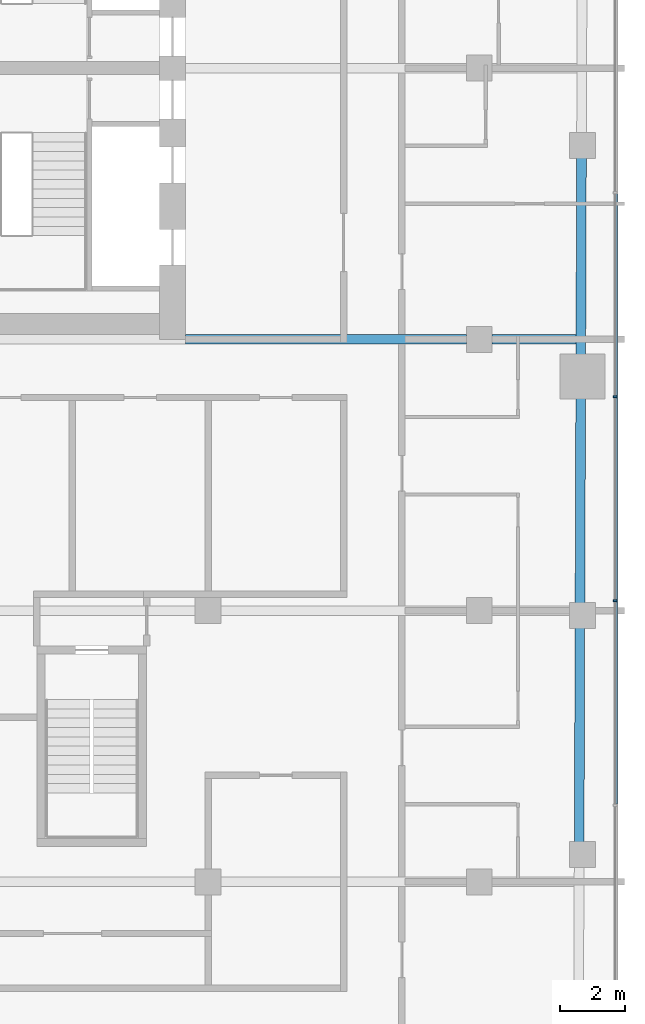
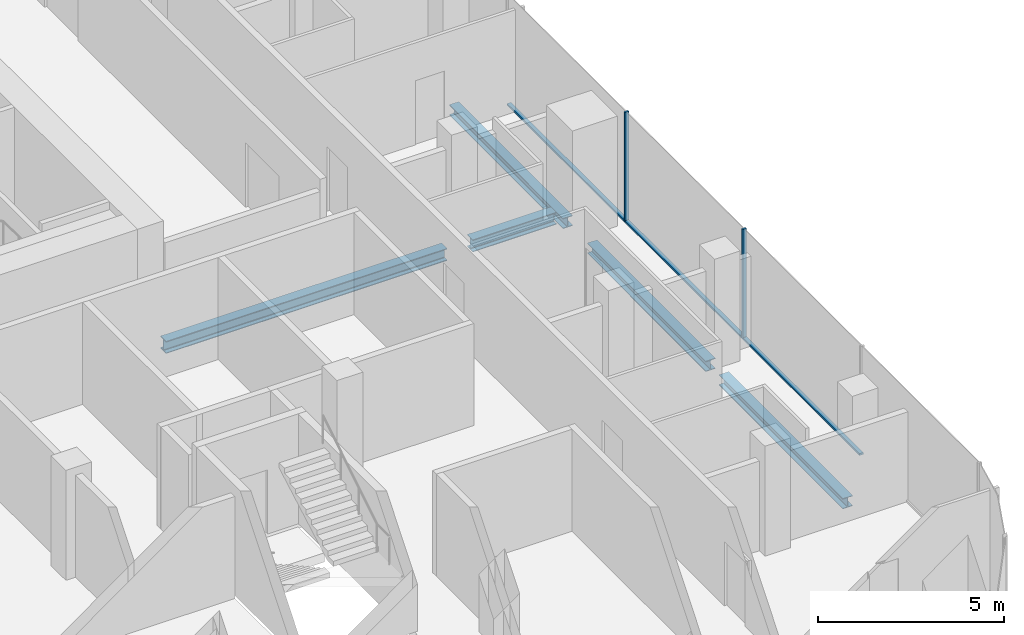
# One storey, part 7 of 22: 5 beams, 5 members, 1 element without a shape of its own.
"""IFC4 building model written with IfcOpenShell, lengths in metres."""

from ifc_helpers import new_model, si_unit, direction, frame, origin, origin_2d, place, context, subcontext, project, spatial, rectangle, i_section, extrude, material, layer, layer_set, material_profile, profile_set, type_object, element, aggregate, save


model = new_model("IFC4")

# Units and contexts
model_context = context("Model", 3, precision=1e-05, world=origin(), true_north=direction((0.0, 1.0)))
body_context = subcontext(model_context, "Body", "Model", "MODEL_VIEW")
ifc_project = project(units=[si_unit("LENGTHUNIT", "METRE"), si_unit("AREAUNIT", "SQUARE_METRE"), si_unit("VOLUMEUNIT", "CUBIC_METRE"), si_unit("PLANEANGLEUNIT", "RADIAN"), si_unit("MASSUNIT", "GRAM", prefix="KILO")], contexts=[model_context])

# Site, building, storey
site_placement = place(None, origin())
site = spatial("IfcSite", under=ifc_project, at=site_placement, CompositionType="ELEMENT")
building_placement = place(site_placement, origin())
building = spatial("IfcBuilding", under=site, at=building_placement, Name="Marenta Gate Hotel Tower", CompositionType="ELEMENT")
storey_placement = place(building_placement, frame((0.0, 0.0, 230.89990234375)))
storey = spatial("IfcBuildingStorey", under=building, at=storey_placement, Name="L54", CompositionType="ELEMENT", Elevation=230.89990234375)

# Beams
ifc_material_1 = material(Name="Steel S355", Category="steel")
ifc_material_profile_1 = material_profile(ifc_material_1, i_section(OverallWidth=0.300048828125, OverallDepth=0.340087890625, WebThickness=0.011962890625, FlangeThickness=0.021484375, FilletRadius=0.027099609375, at=origin_2d()), Name="HEB 340")
ifc_profile_set_1 = profile_set([ifc_material_profile_1], Name="Steel S355")
beam_type_1 = type_object("IfcBeamType", Name="Edge beam HEB 340", PredefinedType="SPANDREL", material=ifc_profile_set_1)
beam_1_placement = place(storey_placement, frame((24.164306640625, 5.643310546875, -0.429931640625), z_axis=(-0.003303859048, -0.999994542243, 0.0), x_axis=(0.999994542243, -0.003303859048, 0.0)))
element("IfcBeam", 1, at=beam_1_placement, inside=storey, type_object=beam_type_1, Name="L54-EB-24", PredefinedType="SPANDREL", context=body_context, shape_type="SweptSolid", body=[
    extrude(i_section(OverallWidth=0.300048828125, OverallDepth=0.340087890625, WebThickness=0.011962890625, FlangeThickness=0.021484375, FilletRadius=0.027099609375, at=origin_2d()), origin(), (0.0, 0.0, 1.0), 6.13330078125),
])
beam_2_placement = place(storey_placement, frame((24.1396484375, -1.81005859375, -0.429931640625), z_axis=(-0.003328723523, -0.999994459785, 0.0), x_axis=(0.999994459785, -0.003328723523, 0.0)))
element("IfcBeam", 2, at=beam_2_placement, inside=storey, type_object=beam_type_1, Name="L54-EB-25", PredefinedType="SPANDREL", context=body_context, shape_type="SweptSolid", body=[
    extrude(i_section(OverallWidth=0.300048828125, OverallDepth=0.340087890625, WebThickness=0.011962890625, FlangeThickness=0.021484375, FilletRadius=0.027099609375, at=origin_2d()), origin(), (0.0, 0.0, 1.0), 6.380859375),
])
beam_3_placement = place(storey_placement, frame((24.115966796875, -8.910888671875, -0.429931640625), z_axis=(-0.00332539729, -0.999994470851, 0.0), x_axis=(0.999994470851, -0.00332539729, 0.0)))
element("IfcBeam", 3, at=beam_3_placement, inside=storey, type_object=beam_type_1, Name="L54-EB-26", PredefinedType="SPANDREL", context=body_context, shape_type="SweptSolid", body=[
    extrude(i_section(OverallWidth=0.300048828125, OverallDepth=0.340087890625, WebThickness=0.011962890625, FlangeThickness=0.021484375, FilletRadius=0.027099609375, at=origin_2d()), origin(), (0.0, 0.0, 1.0), 6.680908203125),
])
ifc_material_2 = material(Name="Steel S355", Category="steel")
ifc_material_profile_2 = material_profile(ifc_material_2, i_section(OverallWidth=0.300048828125, OverallDepth=0.39990234375, WebThickness=0.013427734375, FlangeThickness=0.02392578125, FilletRadius=0.027099609375, at=origin_2d()), Name="HEB 400")
ifc_profile_set_2 = profile_set([ifc_material_profile_2], Name="Steel S355")
beam_type_2 = type_object("IfcBeamType", Name="Girder HEB 400", PredefinedType="BEAM", material=ifc_profile_set_2)
beam_4_placement = place(storey_placement, frame((11.89990234375, 0.0, -0.4599609375), z_axis=(1.0, 0.0, 0.0), x_axis=(0.0, 1.0, 0.0)))
element("IfcBeam", 4, at=beam_4_placement, inside=storey, type_object=beam_type_2, Name="L54-GD-23", PredefinedType="BEAM", context=body_context, shape_type="SweptSolid", body=[
    extrude(i_section(OverallWidth=0.300048828125, OverallDepth=0.39990234375, WebThickness=0.013427734375, FlangeThickness=0.02392578125, FilletRadius=0.027099609375, at=origin_2d()), origin(), (0.0, 0.0, 1.0), 8.7001953125),
])
beam_5_placement = place(storey_placement, frame((21.39990234375, 0.0, -0.4599609375), z_axis=(1.0, 0.0, 0.0), x_axis=(0.0, 1.0, 0.0)))
element("IfcBeam", 5, at=beam_5_placement, inside=storey, type_object=beam_type_2, Name="L54-GD-24", PredefinedType="BEAM", context=body_context, shape_type="SweptSolid", body=[
    extrude(i_section(OverallWidth=0.300048828125, OverallDepth=0.39990234375, WebThickness=0.013427734375, FlangeThickness=0.02392578125, FilletRadius=0.027099609375, at=origin_2d()), origin(), (0.0, 0.0, 1.0), 2.595703125),
])

# Curtain wall, members
ifc_material_3 = material(Name="Tinted insulated glass in bronze anodised frame", Category="glass")
ifc_layer = layer(ifc_material_3, 0.1201171875)
ifc_layer_set = layer_set([ifc_layer], Name="Tinted insulated glass in bronze anodised frame")
curtain_wall_type = type_object("IfcCurtainWallType", Name="Tower unitised curtain wall CW1", PredefinedType="NOTDEFINED", material=ifc_layer_set)
curtain_wall_placement = place(storey_placement, origin())
curtain_wall = element("IfcCurtainWall", 6, at=curtain_wall_placement, inside=storey, type_object=curtain_wall_type, Name="CW1 run G11", PredefinedType="NOTDEFINED")
ifc_material_4 = material(Name="Bronze anodised aluminium", Category="aluminium")
ifc_material_profile_3 = material_profile(ifc_material_4, rectangle(XDim=0.1201171875, YDim=0.06005859375, at=origin_2d()), Name="Mullion CW1 60x120 bronze anodised aluminium")
ifc_profile_set_3 = profile_set([ifc_material_profile_3], Name="Bronze anodised aluminium")
member_type_1 = type_object("IfcMemberType", Name="Mullion CW1 60x120 bronze anodised aluminium", PredefinedType="MULLION", material=ifc_profile_set_3)
member_1_placement = place(storey_placement, frame((25.214111328125, -8.0986328125, 0.0), z_axis=(0.0, 0.0, 1.0), x_axis=(-1.0, 0.0, 0.0)))
member_1 = element("IfcMember", 7, at=member_1_placement, type_object=member_type_1, Name="CW1 mullion 3", PredefinedType="MULLION", context=body_context, shape_type="SweptSolid", body=[
    extrude(rectangle(XDim=0.1201171875, YDim=0.06005859375, at=origin_2d()), origin(), (0.0, 0.0, 1.0), 3.60009765625),
])
member_2_placement = place(storey_placement, frame((25.214111328125, -1.77587890625, 0.0), z_axis=(0.0, 0.0, 1.0), x_axis=(-1.0, 0.0, 0.0)))
member_2 = element("IfcMember", 8, at=member_2_placement, type_object=member_type_1, Name="CW1 mullion 4", PredefinedType="MULLION", context=body_context, shape_type="SweptSolid", body=[
    extrude(rectangle(XDim=0.1201171875, YDim=0.06005859375, at=origin_2d()), origin(), (0.0, 0.0, 1.0), 3.60009765625),
])
ifc_material_5 = material(Name="Bronze anodised aluminium", Category="aluminium")
ifc_material_profile_4 = material_profile(ifc_material_5, rectangle(XDim=0.1201171875, YDim=0.06005859375, at=origin_2d()), Name="Transom CW1 60x120 bronze anodised aluminium")
ifc_profile_set_4 = profile_set([ifc_material_profile_4], Name="Bronze anodised aluminium")
member_type_2 = type_object("IfcMemberType", Name="Transom CW1 60x120 bronze anodised aluminium", PredefinedType="USERDEFINED", material=ifc_profile_set_4)
member_3_placement = place(storey_placement, frame((25.214111328125, -14.391357421875, 0.030029296875), z_axis=(0.0, 1.0, 0.0), x_axis=(-1.0, 0.0, 0.0)))
member_3 = element("IfcMember", 9, at=member_3_placement, type_object=member_type_2, Name="CW1 transom 2.1", ObjectType="TRANSOM", PredefinedType="USERDEFINED", context=body_context, shape_type="SweptSolid", body=[
    extrude(rectangle(XDim=0.1201171875, YDim=0.06005859375, at=origin_2d()), origin(), (0.0, 0.0, 1.0), 6.2626953125),
])
member_4_placement = place(storey_placement, frame((25.214111328125, -8.068603515625, 0.030029296875), z_axis=(0.0, 1.0, 0.0), x_axis=(-1.0, 0.0, 0.0)))
member_4 = element("IfcMember", 10, at=member_4_placement, type_object=member_type_2, Name="CW1 transom 3.1", ObjectType="TRANSOM", PredefinedType="USERDEFINED", context=body_context, shape_type="SweptSolid", body=[
    extrude(rectangle(XDim=0.1201171875, YDim=0.06005859375, at=origin_2d()), origin(), (0.0, 0.0, 1.0), 6.2626953125),
])
member_5_placement = place(storey_placement, frame((25.214111328125, -1.74609375, 0.030029296875), z_axis=(0.0, 1.0, 0.0), x_axis=(-1.0, 0.0, 0.0)))
member_5 = element("IfcMember", 11, at=member_5_placement, type_object=member_type_2, Name="CW1 transom 4.1", ObjectType="TRANSOM", PredefinedType="USERDEFINED", context=body_context, shape_type="SweptSolid", body=[
    extrude(rectangle(XDim=0.1201171875, YDim=0.06005859375, at=origin_2d()), origin(), (0.0, 0.0, 1.0), 6.2626953125),
])
aggregate(curtain_wall, [member_1, member_2, member_3, member_4, member_5])

save(model, "model.ifc")
